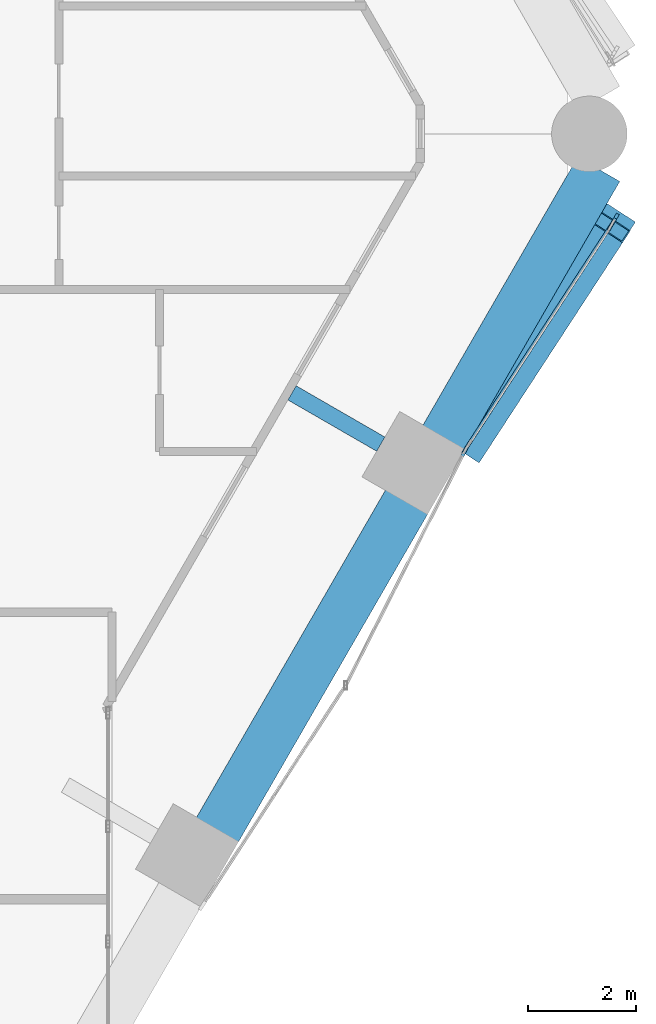
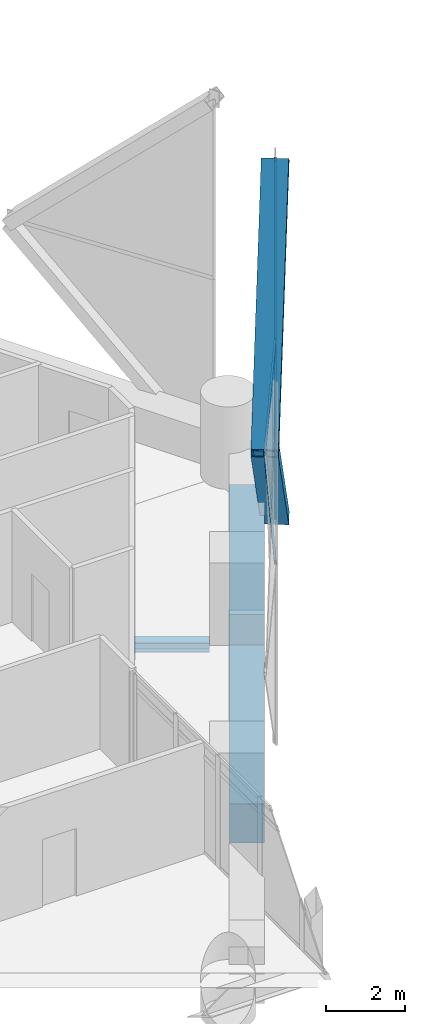
# One storey, part 12 of 35: 6 members, 3 beams, 2 elements without a shape of their own.
"""IFC4 building model written with IfcOpenShell, lengths in metres."""

from ifc_helpers import new_model, si_unit, direction, frame, origin, origin_2d, place, context, subcontext, project, spatial, rectangle, hollow_rectangle, i_section, extrude, material, material_profile, profile_set, type_object, element, aggregate, save


model = new_model("IFC4")

# Units and contexts
model_context = context("Model", 3, precision=1e-05, world=origin(), true_north=direction((0.0, 1.0)))
body_context = subcontext(model_context, "Body", "Model", "MODEL_VIEW")
ifc_project = project(units=[si_unit("LENGTHUNIT", "METRE"), si_unit("AREAUNIT", "SQUARE_METRE"), si_unit("VOLUMEUNIT", "CUBIC_METRE"), si_unit("PLANEANGLEUNIT", "RADIAN"), si_unit("MASSUNIT", "GRAM", prefix="KILO")], contexts=[model_context])

# Site, building, storey
site_placement = place(None, origin())
site = spatial("IfcSite", under=ifc_project, at=site_placement, CompositionType="ELEMENT")
building_placement = place(site_placement, origin())
building = spatial("IfcBuilding", under=site, at=building_placement, Name="Ostrander Bayou Hotel Tower", CompositionType="ELEMENT")
storey_placement = place(building_placement, frame((0.0, 0.0, 69.25)))
storey = spatial("IfcBuildingStorey", under=building, at=storey_placement, Name="L17", CompositionType="ELEMENT", Elevation=69.25)

# Curtain wall, members
ifc_material_1 = material(Name="Aluminium and clear glass", Category="aluminium")
curtain_wall_type = type_object("IfcCurtainWallType", Name="CW-LAT lattice glazing", PredefinedType="NOTDEFINED", material=ifc_material_1)
curtain_wall_1_placement = place(storey_placement, origin())
curtain_wall_1 = element("IfcCurtainWall", 1, at=curtain_wall_1_placement, inside=storey, type_object=curtain_wall_type, Name="CW-LAT L17 SE 1", PredefinedType="NOTDEFINED")
ifc_material_2 = material(Name="Aluminium", Category="aluminium")
ifc_material_profile_1 = material_profile(ifc_material_2, hollow_rectangle(XDim=0.06005859375, YDim=0.159912109375, WallThickness=0.00390625, at=origin_2d()))
ifc_profile_set_1 = profile_set([ifc_material_profile_1], Name="Aluminium")
member_type_1 = type_object("IfcMemberType", Name="CW-LA mullion 60 x 160 mm", PredefinedType="MULLION", material=ifc_profile_set_1)
member_1_placement = place(storey_placement, frame((24.1162109375, -2.369873046875, -0.60009765625), z_axis=(-0.008418950603, -0.014537878618, 0.99985887572), x_axis=(0.865367327112, -0.50113809391, 0.0)))
member_1 = element("IfcMember", 2, at=member_1_placement, type_object=member_type_1, Name="CW-LAT mullion 5", PredefinedType="MULLION", context=body_context, shape_type="SweptSolid", body=[
    extrude(hollow_rectangle(XDim=0.06005859375, YDim=0.159912109375, WallThickness=0.00390625, at=origin_2d()), origin(), (0.0, 0.0, 1.0), 5.625732421875),
])
member_2_placement = place(storey_placement, frame((24.06884765625, -2.45166015625, 5.02490234375), z_axis=(-0.008418950603, -0.014537878618, 0.99985887572), x_axis=(0.865367327112, -0.50113809391, 0.0)))
member_2 = element("IfcMember", 3, at=member_2_placement, type_object=member_type_1, Name="CW-LAT mullion 6", PredefinedType="MULLION", context=body_context, shape_type="SweptSolid", body=[
    extrude(hollow_rectangle(XDim=0.06005859375, YDim=0.159912109375, WallThickness=0.00390625, at=origin_2d()), origin(), (0.0, 0.0, 1.0), 5.625732421875),
])
aggregate(curtain_wall_1, [member_1, member_2])

curtain_wall_2_placement = place(storey_placement, origin())
curtain_wall_2 = element("IfcCurtainWall", 4, at=curtain_wall_2_placement, inside=storey, type_object=curtain_wall_type, Name="CW-LAT L17 SE 2", PredefinedType="NOTDEFINED")
ifc_material_3 = material(Name="Aluminium", Category="aluminium")
ifc_material_profile_2 = material_profile(ifc_material_3, hollow_rectangle(XDim=0.06005859375, YDim=0.1201171875, WallThickness=0.00390625, at=origin_2d()))
ifc_profile_set_2 = profile_set([ifc_material_profile_2], Name="Aluminium")
member_type_2 = type_object("IfcMemberType", Name="CW-LA transom 60 x 120 mm", PredefinedType="USERDEFINED", material=ifc_profile_set_2)
member_3_placement = place(storey_placement, frame((19.11328125, -11.034912109375, 5.02490234375), z_axis=(0.453558716694, 0.891226396888, 0.0), x_axis=(-0.891226396888, 0.453558716694, 0.0)))
member_3 = element("IfcMember", 5, at=member_3_placement, type_object=member_type_2, Name="CW-LAT transom 4", ObjectType="TRANSOM", PredefinedType="USERDEFINED", context=body_context, shape_type="SweptSolid", body=[
    extrude(hollow_rectangle(XDim=0.06005859375, YDim=0.1201171875, WallThickness=0.00390625, at=origin_2d()), origin(), (0.0, 0.0, 1.0), 4.96240234375),
])
member_4_placement = place(storey_placement, frame((24.06884765625, -2.45166015625, 5.02490234375), z_axis=(-0.545060556249, -0.838396678203, 0.0), x_axis=(0.838396678203, -0.545060556249, 0.0)))
member_4 = element("IfcMember", 6, at=member_4_placement, type_object=member_type_2, Name="CW-LAT transom 7", ObjectType="TRANSOM", PredefinedType="USERDEFINED", context=body_context, shape_type="SweptSolid", body=[
    extrude(hollow_rectangle(XDim=0.06005859375, YDim=0.1201171875, WallThickness=0.00390625, at=origin_2d()), origin(), (0.0, 0.0, 1.0), 5.1103515625),
])
aggregate(curtain_wall_2, [member_3, member_4])

# Beam
ifc_material_4 = material(Name="Steel ASTM A992", Category="steel")
ifc_material_profile_3 = material_profile(ifc_material_4, i_section(OverallWidth=0.3046875, OverallDepth=0.307861328125, WebThickness=0.010009765625, FlangeThickness=0.015380859375, at=origin_2d()))
ifc_profile_set_3 = profile_set([ifc_material_profile_3], Name="Steel ASTM A992")
beam_type_1 = type_object("IfcBeamType", Name="LB1 loggia bracket W12x65", PredefinedType="BEAM", material=ifc_profile_set_3)
beam_1_placement = place(storey_placement, frame((19.7646484375, -6.566650390625, -0.453857421875), z_axis=(-0.866044365799, 0.499967155389, 0.0), x_axis=(-0.499967155389, -0.866044365799, 0.0)))
element("IfcBeam", 7, at=beam_1_placement, inside=storey, type_object=beam_type_1, Name="LB1 L17 SE2", PredefinedType="BEAM", context=body_context, shape_type="SweptSolid", body=[
    extrude(i_section(OverallWidth=0.3046875, OverallDepth=0.307861328125, WebThickness=0.010009765625, FlangeThickness=0.015380859375, at=origin_2d()), origin(), (0.0, 0.0, 1.0), 1.900146484375),
])

# Members
ifc_material_5 = material(Name="Steel ASTM A572 Gr 50", Category="steel")
ifc_material_profile_4 = material_profile(ifc_material_5, hollow_rectangle(XDim=0.699951171875, YDim=0.35009765625, WallThickness=0.02490234375, at=origin_2d()))
ifc_profile_set_4 = profile_set([ifc_material_profile_4], Name="Steel ASTM A572 Gr 50")
member_type_3 = type_object("IfcMemberType", Name="LT1 lattice member box 700 x 350 x 25 mm", PredefinedType="BRACE", material=ifc_profile_set_4)
member_5_placement = place(storey_placement, frame((21.364013671875, -6.6123046875, 5.02490234375), z_axis=(0.36385682434, 0.560874659501, -0.743658407947), x_axis=(-0.838929712439, 0.544239779497, 0.0)))
element("IfcMember", 8, at=member_5_placement, inside=storey, type_object=member_type_3, Name="LT1 L17 SE 1", PredefinedType="BRACE", context=body_context, shape_type="SweptSolid", body=[
    extrude(hollow_rectangle(XDim=0.699951171875, YDim=0.35009765625, WallThickness=0.02490234375, at=origin_2d()), origin(), (0.0, 0.0, 1.0), 7.56396484375),
])
member_6_placement = place(storey_placement, frame((21.364013671875, -6.6123046875, 5.02490234375), z_axis=(0.357231282887, 0.548301611685, 0.756142283668), x_axis=(-0.837859930444, 0.5458852782, 0.0)))
element("IfcMember", 9, at=member_6_placement, inside=storey, type_object=member_type_3, Name="LT1 L17 SE 2", PredefinedType="BRACE", context=body_context, shape_type="SweptSolid", body=[
    extrude(hollow_rectangle(XDim=0.699951171875, YDim=0.35009765625, WallThickness=0.02490234375, at=origin_2d()), origin(), (0.0, 0.0, 1.0), 7.43896484375),
])

# Beams
ifc_material_6 = material(Name="Concrete f'c 70 MPa", Category="concrete")
ifc_material_profile_5 = material_profile(ifc_material_6, rectangle(XDim=0.89990234375, YDim=1.199951171875, at=origin_2d()))
ifc_profile_set_5 = profile_set([ifc_material_profile_5], Name="Concrete f'c 70 MPa")
beam_type_2 = type_object("IfcBeamType", Name="SP1 spandrel beam 900 x 1200 mm f'c 70 MPa", PredefinedType="SPANDREL", material=ifc_profile_set_5)
beam_2_placement = place(storey_placement, frame((16.726806640625, -13.72802734375, -0.60009765625), z_axis=(0.499997206141, 0.866027016814, 0.0), x_axis=(-0.866027016814, 0.499997206141, 0.0)))
element("IfcBeam", 10, at=beam_2_placement, inside=storey, type_object=beam_type_2, Name="SP1 L17 SE-2", PredefinedType="SPANDREL", context=body_context, shape_type="SweptSolid", body=[
    extrude(rectangle(XDim=0.89990234375, YDim=1.199951171875, at=origin_2d()), origin(), (0.0, 0.0, 1.0), 7.05078125),
])
beam_3_placement = place(storey_placement, frame((20.92236328125, -6.46142578125, -0.60009765625), z_axis=(0.499996461177, 0.866027446915, 0.0), x_axis=(-0.866027446915, 0.499996461177, 0.0)))
element("IfcBeam", 11, at=beam_3_placement, inside=storey, type_object=beam_type_2, Name="SP1 L17 SE-3", PredefinedType="SPANDREL", context=body_context, shape_type="SweptSolid", body=[
    extrude(rectangle(XDim=0.89990234375, YDim=1.199951171875, at=origin_2d()), origin(), (0.0, 0.0, 1.0), 5.7587890625),
])

save(model, "model.ifc")
